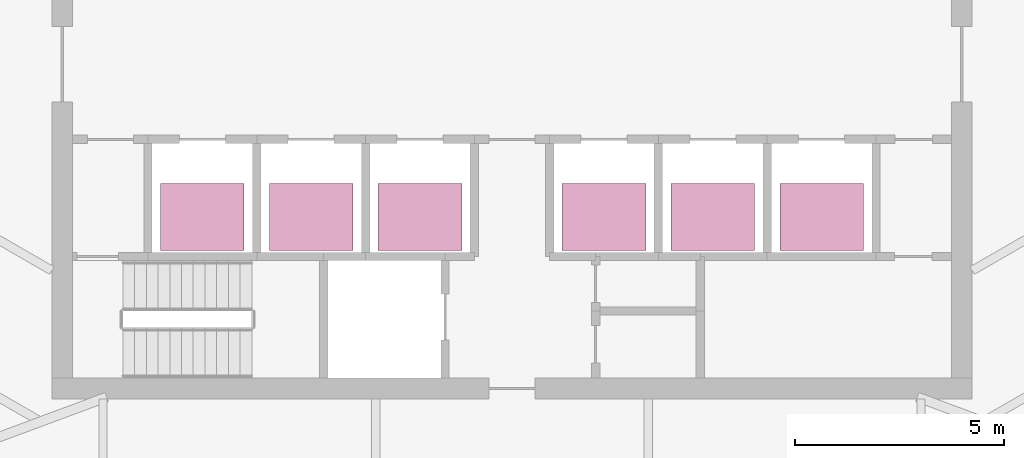
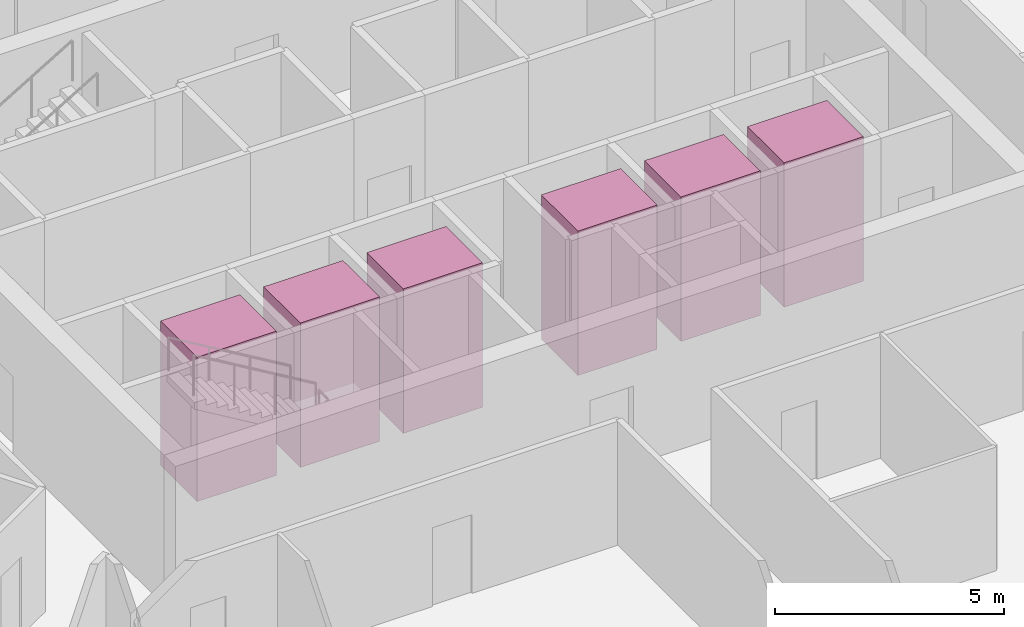
# One storey, part 16 of 16: 6 transport elements.
"""IFC4 building model written with IfcOpenShell, lengths in metres."""

from ifc_helpers import new_model, si_unit, direction, frame, origin, origin_2d, place, context, subcontext, project, spatial, rectangle, extrude, material, type_object, element, save


model = new_model("IFC4")

# Units and contexts
model_context = context("Model", 3, precision=1e-05, world=origin(), true_north=direction((0.0, 1.0)))
body_context = subcontext(model_context, "Body", "Model", "MODEL_VIEW")
ifc_project = project(units=[si_unit("LENGTHUNIT", "METRE"), si_unit("AREAUNIT", "SQUARE_METRE"), si_unit("VOLUMEUNIT", "CUBIC_METRE"), si_unit("PLANEANGLEUNIT", "RADIAN"), si_unit("MASSUNIT", "GRAM", prefix="KILO")], contexts=[model_context])

# Site, building, storey
site_placement = place(None, origin())
site = spatial("IfcSite", under=ifc_project, at=site_placement, CompositionType="ELEMENT")
building_placement = place(site_placement, origin())
building = spatial("IfcBuilding", under=site, at=building_placement, Name="Sierra Prisma Convention Tower", CompositionType="ELEMENT")
storey_placement = place(building_placement, frame((0.0, 0.0, 271.0)))
storey = spatial("IfcBuildingStorey", under=building, at=storey_placement, Name="L61", CompositionType="ELEMENT", Elevation=271.0)

# Transport elements
ifc_material = material(Name="Stainless steel", Category="steel")
transport_element_type = type_object("IfcTransportElementType", Name="Lift car office high 2000x1600 1600 kg", PredefinedType="ELEVATOR", material=ifc_material)
for number, where, z_axis, x_axis, name in (
    (1, (-7.39990234375, -3.64990234375, 0.0), (0.0, 0.0, 1.0), (1.0, 0.0, 0.0), "Lift OH1"),
    (2, (-4.800048828125, -3.64990234375, 0.0), (0.0, 0.0, 1.0), (1.0, 0.0, 0.0), "Lift OH2"),
    (3, (-2.199951171875, -3.64990234375, 0.0), (0.0, 0.0, 1.0), (1.0, 0.0, 0.0), "Lift OH3"),
    (4, (2.199951171875, -3.64990234375, 0.0), (0.0, 0.0, 1.0), (1.0, 0.0, 0.0), "Lift OH4"),
    (5, (4.800048828125, -3.64990234375, 0.0), (0.0, 0.0, 1.0), (1.0, 0.0, 0.0), "Lift OH5"),
    (6, (7.39990234375, -3.64990234375, 0.0), (0.0, 0.0, 1.0), (1.0, 0.0, 0.0), "Lift OH6"),
):
    element("IfcTransportElement", number, at=place(storey_placement, frame(where, z_axis=z_axis, x_axis=x_axis)), inside=storey, type_object=transport_element_type, Name=name, PredefinedType="ELEVATOR", context=body_context, shape_type="SweptSolid", body=[
        extrude(rectangle(XDim=2.0, YDim=1.60009765625, at=origin_2d()), origin(), (0.0, 0.0, 1.0), 3.85009765625),
    ])

save(model, "model.ifc")
